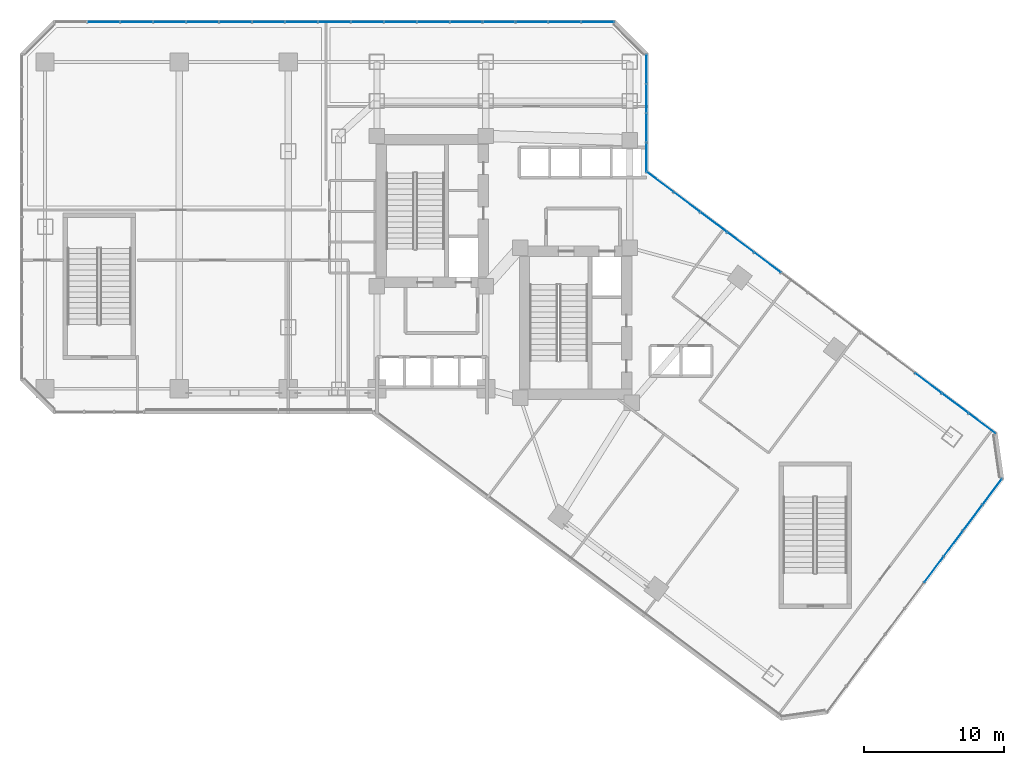
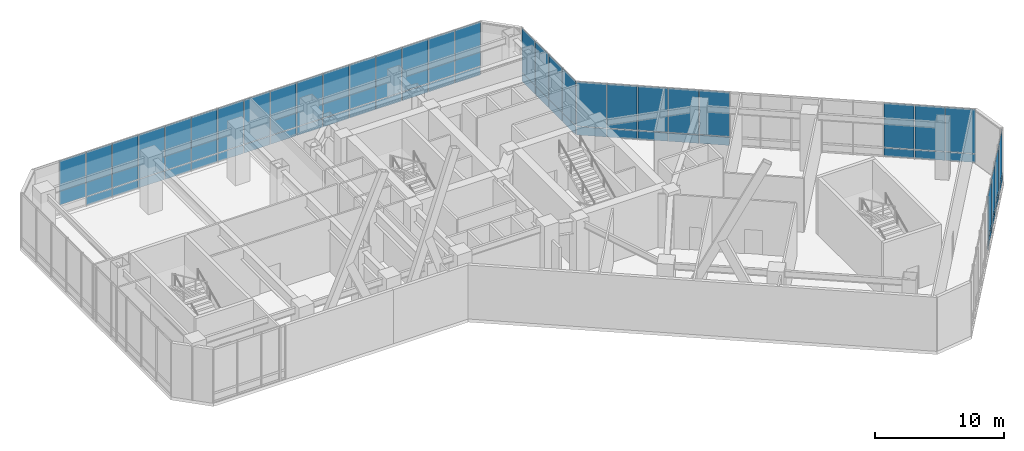
# One storey, part 25 of 35: 63 plates, 4 elements without a shape of their own.
"""IFC4 building model written with IfcOpenShell, lengths in metres."""

from ifc_helpers import new_model, si_unit, direction, frame, origin, origin_2d, place, context, subcontext, project, spatial, rectangle, extrude, material, layer, layer_set, type_object, element, aggregate, save


model = new_model("IFC4")

# Units and contexts
model_context = context("Model", 3, precision=1e-05, world=origin(), true_north=direction((0.0, 1.0)))
body_context = subcontext(model_context, "Body", "Model", "MODEL_VIEW")
ifc_project = project(units=[si_unit("LENGTHUNIT", "METRE"), si_unit("AREAUNIT", "SQUARE_METRE"), si_unit("VOLUMEUNIT", "CUBIC_METRE"), si_unit("PLANEANGLEUNIT", "RADIAN"), si_unit("MASSUNIT", "GRAM", prefix="KILO")], contexts=[model_context])

# Site, building, storey
site_placement = place(None, origin())
site = spatial("IfcSite", under=ifc_project, at=site_placement, CompositionType="ELEMENT")
building_placement = place(site_placement, origin())
building = spatial("IfcBuilding", under=site, at=building_placement, Name="Hatsunagi Terrace Concourse", CompositionType="ELEMENT")
storey_placement = place(building_placement, frame((0.0, 0.0, 5.39990234375)))
storey = spatial("IfcBuildingStorey", under=building, at=storey_placement, Name="L02", CompositionType="ELEMENT", Elevation=5.39990234375)

# Curtain wall, plates
ifc_material_1 = material(Name="Anodised Aluminium Alloy 6063-T5", Category="aluminium")
ifc_layer_1 = layer(ifc_material_1, 0.199951171875)
ifc_layer_set_1 = layer_set([ifc_layer_1], Name="PodiumStorefront_CW01")
curtain_wall_type = type_object("IfcCurtainWallType", Name="PodiumStorefront_CW01", PredefinedType="NOTDEFINED", material=ifc_layer_set_1)
curtain_wall_1_placement = place(storey_placement, origin())
curtain_wall_1 = element("IfcCurtainWall", 1, at=curtain_wall_1_placement, inside=storey, type_object=curtain_wall_type, Name="Unitised Curtain Wall CW-01 CW-L02-01", PredefinedType="NOTDEFINED")
ifc_material_2 = material(Name="Warm Terracotta Ceramic Spandrel Panel", Category="masonry")
ifc_layer_2 = layer(ifc_material_2, 0.031982421875)
ifc_layer_set_2 = layer_set([ifc_layer_2], Name="CurtainWallSpandrelPanel_32")
plate_type_1 = type_object("IfcPlateType", Name="CurtainWallSpandrelPanel_32", PredefinedType="SHEET", material=ifc_layer_set_2)
plate_1_placement = place(storey_placement, frame((45.820068359375, 40.010009765625, 0.030029296875), z_axis=(0.0, 0.0, 1.0), x_axis=(0.800007305671, -0.599990258982, 0.0)))
plate_1 = element("IfcPlate", 2, at=plate_1_placement, type_object=plate_type_1, Name="Terracotta Spandrel Panel SPN-01", PredefinedType="SHEET", context=body_context, shape_type="SweptSolid", body=[
    extrude(rectangle(XDim=2.345947265625, YDim=0.031982421875, at=origin_2d()), origin(), (0.0, 0.0, 1.0), 0.7900390625),
])
plate_2_placement = place(storey_placement, frame((47.740966796875, 38.569091796875, 0.030029296875), z_axis=(0.0, 0.0, 1.0), x_axis=(0.800007305671, -0.599990258982, 0.0)))
plate_2 = element("IfcPlate", 3, at=plate_2_placement, type_object=plate_type_1, Name="Terracotta Spandrel Panel SPN-01", PredefinedType="SHEET", context=body_context, shape_type="SweptSolid", body=[
    extrude(rectangle(XDim=2.345947265625, YDim=0.031982421875, at=origin_2d()), origin(), (0.0, 0.0, 1.0), 0.7900390625),
])
plate_3_placement = place(storey_placement, frame((49.662109375, 37.12890625, 0.030029296875), z_axis=(0.0, 0.0, 1.0), x_axis=(0.800007305671, -0.599990258982, 0.0)))
plate_3 = element("IfcPlate", 4, at=plate_3_placement, type_object=plate_type_1, Name="Terracotta Spandrel Panel SPN-01", PredefinedType="SHEET", context=body_context, shape_type="SweptSolid", body=[
    extrude(rectangle(XDim=2.345947265625, YDim=0.031982421875, at=origin_2d()), origin(), (0.0, 0.0, 1.0), 0.7900390625),
])
plate_4_placement = place(storey_placement, frame((51.5830078125, 35.68798828125, 0.030029296875), z_axis=(0.0, 0.0, 1.0), x_axis=(0.800007305671, -0.599990258982, 0.0)))
plate_4 = element("IfcPlate", 5, at=plate_4_placement, type_object=plate_type_1, Name="Terracotta Spandrel Panel SPN-01", PredefinedType="SHEET", context=body_context, shape_type="SweptSolid", body=[
    extrude(rectangle(XDim=2.345947265625, YDim=0.031982421875, at=origin_2d()), origin(), (0.0, 0.0, 1.0), 0.7900390625),
])
plate_5_placement = place(storey_placement, frame((53.5029296875, 34.248046875, 0.030029296875), z_axis=(0.0, 0.0, 1.0), x_axis=(0.800007305671, -0.599990258982, 0.0)))
plate_5 = element("IfcPlate", 6, at=plate_5_placement, type_object=plate_type_1, Name="Terracotta Spandrel Panel SPN-01", PredefinedType="SHEET", context=body_context, shape_type="SweptSolid", body=[
    extrude(rectangle(XDim=2.345947265625, YDim=0.031982421875, at=origin_2d()), origin(), (0.0, 0.0, 1.0), 0.7900390625),
])
plate_6_placement = place(storey_placement, frame((65.028076171875, 25.60400390625, 0.030029296875), z_axis=(0.0, 0.0, 1.0), x_axis=(0.800007305671, -0.599990258982, 0.0)))
plate_6 = element("IfcPlate", 7, at=plate_6_placement, type_object=plate_type_1, Name="Terracotta Spandrel Panel SPN-01", PredefinedType="SHEET", context=body_context, shape_type="SweptSolid", body=[
    extrude(rectangle(XDim=2.345947265625, YDim=0.031982421875, at=origin_2d()), origin(), (0.0, 0.0, 1.0), 0.7900390625),
])
plate_7_placement = place(storey_placement, frame((66.948974609375, 24.1640625, 0.030029296875), z_axis=(0.0, 0.0, 1.0), x_axis=(0.800007305671, -0.599990258982, 0.0)))
plate_7 = element("IfcPlate", 8, at=plate_7_placement, type_object=plate_type_1, Name="Terracotta Spandrel Panel SPN-01", PredefinedType="SHEET", context=body_context, shape_type="SweptSolid", body=[
    extrude(rectangle(XDim=2.345947265625, YDim=0.031982421875, at=origin_2d()), origin(), (0.0, 0.0, 1.0), 0.7900390625),
])
plate_8_placement = place(storey_placement, frame((68.8701171875, 22.722900390625, 0.030029296875), z_axis=(0.0, 0.0, 1.0), x_axis=(0.800007305671, -0.599990258982, 0.0)))
plate_8 = element("IfcPlate", 9, at=plate_8_placement, type_object=plate_type_1, Name="Terracotta Spandrel Panel SPN-01", PredefinedType="SHEET", context=body_context, shape_type="SweptSolid", body=[
    extrude(rectangle(XDim=2.345947265625, YDim=0.031982421875, at=origin_2d()), origin(), (0.0, 0.0, 1.0), 0.7900390625),
])

curtain_wall_2_placement = place(storey_placement, origin())
curtain_wall_2 = element("IfcCurtainWall", 10, at=curtain_wall_2_placement, inside=storey, type_object=curtain_wall_type, Name="Unitised Curtain Wall CW-01 CW-L02-03", PredefinedType="NOTDEFINED")
plate_9_placement = place(storey_placement, frame((69.596923828125, 17.830078125, 0.030029296875), z_axis=(0.0, 0.0, 1.0), x_axis=(-0.599969314634, -0.800023013105, 0.0)))
plate_9 = element("IfcPlate", 11, at=plate_9_placement, type_object=plate_type_1, Name="Terracotta Spandrel Panel SPN-01", PredefinedType="SHEET", context=body_context, shape_type="SweptSolid", body=[
    extrude(rectangle(XDim=2.264892578125, YDim=0.031982421875, at=origin_2d()), origin(), (0.0, 0.0, 1.0), 0.7900390625),
])
plate_10_placement = place(storey_placement, frame((68.205078125, 15.972900390625, 0.030029296875), z_axis=(0.0, 0.0, 1.0), x_axis=(-0.599969314634, -0.800023013105, 0.0)))
plate_10 = element("IfcPlate", 12, at=plate_10_placement, type_object=plate_type_1, Name="Terracotta Spandrel Panel SPN-01", PredefinedType="SHEET", context=body_context, shape_type="SweptSolid", body=[
    extrude(rectangle(XDim=2.264892578125, YDim=0.031982421875, at=origin_2d()), origin(), (0.0, 0.0, 1.0), 0.7900390625),
])
plate_11_placement = place(storey_placement, frame((66.81201171875, 14.116943359375, 0.030029296875), z_axis=(0.0, 0.0, 1.0), x_axis=(-0.599969314634, -0.800023013105, 0.0)))
plate_11 = element("IfcPlate", 13, at=plate_11_placement, type_object=plate_type_1, Name="Terracotta Spandrel Panel SPN-01", PredefinedType="SHEET", context=body_context, shape_type="SweptSolid", body=[
    extrude(rectangle(XDim=2.264892578125, YDim=0.031982421875, at=origin_2d()), origin(), (0.0, 0.0, 1.0), 0.7900390625),
])
plate_12_placement = place(storey_placement, frame((65.419921875, 12.260009765625, 0.030029296875), z_axis=(0.0, 0.0, 1.0), x_axis=(-0.599969314634, -0.800023013105, 0.0)))
plate_12 = element("IfcPlate", 14, at=plate_12_placement, type_object=plate_type_1, Name="Terracotta Spandrel Panel SPN-01", PredefinedType="SHEET", context=body_context, shape_type="SweptSolid", body=[
    extrude(rectangle(XDim=2.264892578125, YDim=0.031982421875, at=origin_2d()), origin(), (0.0, 0.0, 1.0), 0.7900390625),
])

curtain_wall_3_placement = place(storey_placement, origin())
curtain_wall_3 = element("IfcCurtainWall", 15, at=curtain_wall_3_placement, inside=storey, type_object=curtain_wall_type, Name="Unitised Curtain Wall CW-01 CW-L02-12", PredefinedType="NOTDEFINED")
plate_13_placement = place(storey_placement, frame((8.35302734375, 51.4599609375, 0.030029296875), z_axis=(0.0, 0.0, 1.0), x_axis=(1.0, 0.0, 0.0)))
plate_13 = element("IfcPlate", 16, at=plate_13_placement, type_object=plate_type_1, Name="Terracotta Spandrel Panel SPN-01", PredefinedType="SHEET", context=body_context, shape_type="SweptSolid", body=[
    extrude(rectangle(XDim=2.302978515625, YDim=0.031982421875, at=origin_2d()), origin(), (0.0, 0.0, 1.0), 0.7900390625),
])
plate_14_placement = place(storey_placement, frame((10.7109375, 51.4599609375, 0.030029296875), z_axis=(0.0, 0.0, 1.0), x_axis=(1.0, 0.0, 0.0)))
plate_14 = element("IfcPlate", 17, at=plate_14_placement, type_object=plate_type_1, Name="Terracotta Spandrel Panel SPN-01", PredefinedType="SHEET", context=body_context, shape_type="SweptSolid", body=[
    extrude(rectangle(XDim=2.302978515625, YDim=0.031982421875, at=origin_2d()), origin(), (0.0, 0.0, 1.0), 0.7900390625),
])
plate_15_placement = place(storey_placement, frame((13.068115234375, 51.4599609375, 0.030029296875), z_axis=(0.0, 0.0, 1.0), x_axis=(1.0, 0.0, 0.0)))
plate_15 = element("IfcPlate", 18, at=plate_15_placement, type_object=plate_type_1, Name="Terracotta Spandrel Panel SPN-01", PredefinedType="SHEET", context=body_context, shape_type="SweptSolid", body=[
    extrude(rectangle(XDim=2.302978515625, YDim=0.031982421875, at=origin_2d()), origin(), (0.0, 0.0, 1.0), 0.7900390625),
])
plate_16_placement = place(storey_placement, frame((15.426025390625, 51.4599609375, 0.030029296875), z_axis=(0.0, 0.0, 1.0), x_axis=(1.0, 0.0, 0.0)))
plate_16 = element("IfcPlate", 19, at=plate_16_placement, type_object=plate_type_1, Name="Terracotta Spandrel Panel SPN-01", PredefinedType="SHEET", context=body_context, shape_type="SweptSolid", body=[
    extrude(rectangle(XDim=2.302978515625, YDim=0.031982421875, at=origin_2d()), origin(), (0.0, 0.0, 1.0), 0.7900390625),
])
plate_17_placement = place(storey_placement, frame((17.783935546875, 51.4599609375, 0.030029296875), z_axis=(0.0, 0.0, 1.0), x_axis=(1.0, 0.0, 0.0)))
plate_17 = element("IfcPlate", 20, at=plate_17_placement, type_object=plate_type_1, Name="Terracotta Spandrel Panel SPN-01", PredefinedType="SHEET", context=body_context, shape_type="SweptSolid", body=[
    extrude(rectangle(XDim=2.302978515625, YDim=0.031982421875, at=origin_2d()), origin(), (0.0, 0.0, 1.0), 0.7900390625),
])
plate_18_placement = place(storey_placement, frame((20.14208984375, 51.4599609375, 0.030029296875), z_axis=(0.0, 0.0, 1.0), x_axis=(1.0, 0.0, 0.0)))
plate_18 = element("IfcPlate", 21, at=plate_18_placement, type_object=plate_type_1, Name="Terracotta Spandrel Panel SPN-01", PredefinedType="SHEET", context=body_context, shape_type="SweptSolid", body=[
    extrude(rectangle(XDim=2.302978515625, YDim=0.031982421875, at=origin_2d()), origin(), (0.0, 0.0, 1.0), 0.7900390625),
])
plate_19_placement = place(storey_placement, frame((22.5, 51.4599609375, 0.030029296875), z_axis=(0.0, 0.0, 1.0), x_axis=(1.0, 0.0, 0.0)))
plate_19 = element("IfcPlate", 22, at=plate_19_placement, type_object=plate_type_1, Name="Terracotta Spandrel Panel SPN-01", PredefinedType="SHEET", context=body_context, shape_type="SweptSolid", body=[
    extrude(rectangle(XDim=2.302978515625, YDim=0.031982421875, at=origin_2d()), origin(), (0.0, 0.0, 1.0), 0.7900390625),
])
plate_20_placement = place(storey_placement, frame((24.85791015625, 51.4599609375, 0.030029296875), z_axis=(0.0, 0.0, 1.0), x_axis=(1.0, 0.0, 0.0)))
plate_20 = element("IfcPlate", 23, at=plate_20_placement, type_object=plate_type_1, Name="Terracotta Spandrel Panel SPN-01", PredefinedType="SHEET", context=body_context, shape_type="SweptSolid", body=[
    extrude(rectangle(XDim=2.302978515625, YDim=0.031982421875, at=origin_2d()), origin(), (0.0, 0.0, 1.0), 0.7900390625),
])
plate_21_placement = place(storey_placement, frame((27.216064453125, 51.4599609375, 0.030029296875), z_axis=(0.0, 0.0, 1.0), x_axis=(1.0, 0.0, 0.0)))
plate_21 = element("IfcPlate", 24, at=plate_21_placement, type_object=plate_type_1, Name="Terracotta Spandrel Panel SPN-01", PredefinedType="SHEET", context=body_context, shape_type="SweptSolid", body=[
    extrude(rectangle(XDim=2.302978515625, YDim=0.031982421875, at=origin_2d()), origin(), (0.0, 0.0, 1.0), 0.7900390625),
])
plate_22_placement = place(storey_placement, frame((29.573974609375, 51.4599609375, 0.030029296875), z_axis=(0.0, 0.0, 1.0), x_axis=(1.0, 0.0, 0.0)))
plate_22 = element("IfcPlate", 25, at=plate_22_placement, type_object=plate_type_1, Name="Terracotta Spandrel Panel SPN-01", PredefinedType="SHEET", context=body_context, shape_type="SweptSolid", body=[
    extrude(rectangle(XDim=2.302978515625, YDim=0.031982421875, at=origin_2d()), origin(), (0.0, 0.0, 1.0), 0.7900390625),
])
plate_23_placement = place(storey_placement, frame((31.931884765625, 51.4599609375, 0.030029296875), z_axis=(0.0, 0.0, 1.0), x_axis=(1.0, 0.0, 0.0)))
plate_23 = element("IfcPlate", 26, at=plate_23_placement, type_object=plate_type_1, Name="Terracotta Spandrel Panel SPN-01", PredefinedType="SHEET", context=body_context, shape_type="SweptSolid", body=[
    extrude(rectangle(XDim=2.302978515625, YDim=0.031982421875, at=origin_2d()), origin(), (0.0, 0.0, 1.0), 0.7900390625),
])
plate_24_placement = place(storey_placement, frame((34.2890625, 51.4599609375, 0.030029296875), z_axis=(0.0, 0.0, 1.0), x_axis=(1.0, 0.0, 0.0)))
plate_24 = element("IfcPlate", 27, at=plate_24_placement, type_object=plate_type_1, Name="Terracotta Spandrel Panel SPN-01", PredefinedType="SHEET", context=body_context, shape_type="SweptSolid", body=[
    extrude(rectangle(XDim=2.302978515625, YDim=0.031982421875, at=origin_2d()), origin(), (0.0, 0.0, 1.0), 0.7900390625),
])
plate_25_placement = place(storey_placement, frame((36.64697265625, 51.4599609375, 0.030029296875), z_axis=(0.0, 0.0, 1.0), x_axis=(1.0, 0.0, 0.0)))
plate_25 = element("IfcPlate", 28, at=plate_25_placement, type_object=plate_type_1, Name="Terracotta Spandrel Panel SPN-01", PredefinedType="SHEET", context=body_context, shape_type="SweptSolid", body=[
    extrude(rectangle(XDim=2.302978515625, YDim=0.031982421875, at=origin_2d()), origin(), (0.0, 0.0, 1.0), 0.7900390625),
])
plate_26_placement = place(storey_placement, frame((39.0048828125, 51.4599609375, 0.030029296875), z_axis=(0.0, 0.0, 1.0), x_axis=(1.0, 0.0, 0.0)))
plate_26 = element("IfcPlate", 29, at=plate_26_placement, type_object=plate_type_1, Name="Terracotta Spandrel Panel SPN-01", PredefinedType="SHEET", context=body_context, shape_type="SweptSolid", body=[
    extrude(rectangle(XDim=2.302978515625, YDim=0.031982421875, at=origin_2d()), origin(), (0.0, 0.0, 1.0), 0.7900390625),
])
plate_27_placement = place(storey_placement, frame((41.363037109375, 51.4599609375, 0.030029296875), z_axis=(0.0, 0.0, 1.0), x_axis=(1.0, 0.0, 0.0)))
plate_27 = element("IfcPlate", 30, at=plate_27_placement, type_object=plate_type_1, Name="Terracotta Spandrel Panel SPN-01", PredefinedType="SHEET", context=body_context, shape_type="SweptSolid", body=[
    extrude(rectangle(XDim=2.302978515625, YDim=0.031982421875, at=origin_2d()), origin(), (0.0, 0.0, 1.0), 0.7900390625),
])

curtain_wall_4_placement = place(storey_placement, origin())
curtain_wall_4 = element("IfcCurtainWall", 31, at=curtain_wall_4_placement, inside=storey, type_object=curtain_wall_type, Name="Unitised Curtain Wall CW-01 CW-L02-14", PredefinedType="NOTDEFINED")
plate_28_placement = place(storey_placement, frame((44.860107421875, 48.091064453125, 0.030029296875), z_axis=(0.0, 0.0, 1.0), x_axis=(0.0, -1.0, 0.0)))
plate_28 = element("IfcPlate", 32, at=plate_28_placement, type_object=plate_type_1, Name="Terracotta Spandrel Panel SPN-01", PredefinedType="SHEET", context=body_context, shape_type="SweptSolid", body=[
    extrude(rectangle(XDim=2.048095703125, YDim=0.031982421875, at=origin_2d()), origin(), (0.0, 0.0, 1.0), 0.7900390625),
])
plate_29_placement = place(storey_placement, frame((44.860107421875, 45.987060546875, 0.030029296875), z_axis=(0.0, 0.0, 1.0), x_axis=(0.0, -1.0, 0.0)))
plate_29 = element("IfcPlate", 33, at=plate_29_placement, type_object=plate_type_1, Name="Terracotta Spandrel Panel SPN-01", PredefinedType="SHEET", context=body_context, shape_type="SweptSolid", body=[
    extrude(rectangle(XDim=2.048095703125, YDim=0.031982421875, at=origin_2d()), origin(), (0.0, 0.0, 1.0), 0.7900390625),
])
plate_30_placement = place(storey_placement, frame((44.860107421875, 43.885009765625, 0.030029296875), z_axis=(0.0, 0.0, 1.0), x_axis=(0.0, -1.0, 0.0)))
plate_30 = element("IfcPlate", 34, at=plate_30_placement, type_object=plate_type_1, Name="Terracotta Spandrel Panel SPN-01", PredefinedType="SHEET", context=body_context, shape_type="SweptSolid", body=[
    extrude(rectangle(XDim=2.048095703125, YDim=0.031982421875, at=origin_2d()), origin(), (0.0, 0.0, 1.0), 0.7900390625),
])
plate_31_placement = place(storey_placement, frame((44.860107421875, 41.781005859375, 0.030029296875), z_axis=(0.0, 0.0, 1.0), x_axis=(0.0, -1.0, 0.0)))
plate_31 = element("IfcPlate", 35, at=plate_31_placement, type_object=plate_type_1, Name="Terracotta Spandrel Panel SPN-01", PredefinedType="SHEET", context=body_context, shape_type="SweptSolid", body=[
    extrude(rectangle(XDim=2.048095703125, YDim=0.031982421875, at=origin_2d()), origin(), (0.0, 0.0, 1.0), 0.7900390625),
])

# Plate
ifc_material_3 = material(Name="Low-E Double Insulating Glass 28mm", Category="glass")
ifc_layer_3 = layer(ifc_material_3, 0.028076171875)
ifc_layer_set_3 = layer_set([ifc_layer_3], Name="CurtainWallVisionGlass_28")
plate_type_2 = type_object("IfcPlateType", Name="CurtainWallVisionGlass_28", PredefinedType="CURTAIN_PANEL", material=ifc_layer_set_3)
plate_32_placement = place(storey_placement, frame((45.820068359375, 40.010009765625, 0.880126953125), z_axis=(0.0, 0.0, 1.0), x_axis=(0.800007305671, -0.599990258982, 0.0)))
plate_32 = element("IfcPlate", 36, at=plate_32_placement, type_object=plate_type_2, Name="Low-E Vision Glass Panel GLZ-01", PredefinedType="CURTAIN_PANEL", context=body_context, shape_type="SweptSolid", body=[
    extrude(rectangle(XDim=2.345947265625, YDim=0.028076171875, at=origin_2d()), origin(), (0.0, 0.0, 1.0), 4.18994140625),
])

plate_33_placement = place(storey_placement, frame((47.740966796875, 38.569091796875, 0.880126953125), z_axis=(0.0, 0.0, 1.0), x_axis=(0.800007305671, -0.599990258982, 0.0)))
plate_33 = element("IfcPlate", 37, at=plate_33_placement, type_object=plate_type_2, Name="Low-E Vision Glass Panel GLZ-01", PredefinedType="CURTAIN_PANEL", context=body_context, shape_type="SweptSolid", body=[
    extrude(rectangle(XDim=2.345947265625, YDim=0.028076171875, at=origin_2d()), origin(), (0.0, 0.0, 1.0), 4.18994140625),
])

plate_34_placement = place(storey_placement, frame((49.662109375, 37.12890625, 0.880126953125), z_axis=(0.0, 0.0, 1.0), x_axis=(0.800007305671, -0.599990258982, 0.0)))
plate_34 = element("IfcPlate", 38, at=plate_34_placement, type_object=plate_type_2, Name="Low-E Vision Glass Panel GLZ-01", PredefinedType="CURTAIN_PANEL", context=body_context, shape_type="SweptSolid", body=[
    extrude(rectangle(XDim=2.345947265625, YDim=0.028076171875, at=origin_2d()), origin(), (0.0, 0.0, 1.0), 4.18994140625),
])

plate_35_placement = place(storey_placement, frame((51.5830078125, 35.68798828125, 0.880126953125), z_axis=(0.0, 0.0, 1.0), x_axis=(0.800007305671, -0.599990258982, 0.0)))
plate_35 = element("IfcPlate", 39, at=plate_35_placement, type_object=plate_type_2, Name="Low-E Vision Glass Panel GLZ-01", PredefinedType="CURTAIN_PANEL", context=body_context, shape_type="SweptSolid", body=[
    extrude(rectangle(XDim=2.345947265625, YDim=0.028076171875, at=origin_2d()), origin(), (0.0, 0.0, 1.0), 4.18994140625),
])

plate_36_placement = place(storey_placement, frame((53.5029296875, 34.248046875, 0.880126953125), z_axis=(0.0, 0.0, 1.0), x_axis=(0.800007305671, -0.599990258982, 0.0)))
plate_36 = element("IfcPlate", 40, at=plate_36_placement, type_object=plate_type_2, Name="Low-E Vision Glass Panel GLZ-01", PredefinedType="CURTAIN_PANEL", context=body_context, shape_type="SweptSolid", body=[
    extrude(rectangle(XDim=2.345947265625, YDim=0.028076171875, at=origin_2d()), origin(), (0.0, 0.0, 1.0), 4.18994140625),
])

plate_37_placement = place(storey_placement, frame((65.028076171875, 25.60400390625, 0.880126953125), z_axis=(0.0, 0.0, 1.0), x_axis=(0.800007305671, -0.599990258982, 0.0)))
plate_37 = element("IfcPlate", 41, at=plate_37_placement, type_object=plate_type_2, Name="Low-E Vision Glass Panel GLZ-01", PredefinedType="CURTAIN_PANEL", context=body_context, shape_type="SweptSolid", body=[
    extrude(rectangle(XDim=2.345947265625, YDim=0.028076171875, at=origin_2d()), origin(), (0.0, 0.0, 1.0), 4.18994140625),
])

plate_38_placement = place(storey_placement, frame((66.948974609375, 24.1640625, 0.880126953125), z_axis=(0.0, 0.0, 1.0), x_axis=(0.800007305671, -0.599990258982, 0.0)))
plate_38 = element("IfcPlate", 42, at=plate_38_placement, type_object=plate_type_2, Name="Low-E Vision Glass Panel GLZ-01", PredefinedType="CURTAIN_PANEL", context=body_context, shape_type="SweptSolid", body=[
    extrude(rectangle(XDim=2.345947265625, YDim=0.028076171875, at=origin_2d()), origin(), (0.0, 0.0, 1.0), 4.18994140625),
])

plate_39_placement = place(storey_placement, frame((68.8701171875, 22.722900390625, 0.880126953125), z_axis=(0.0, 0.0, 1.0), x_axis=(0.800007305671, -0.599990258982, 0.0)))
plate_39 = element("IfcPlate", 43, at=plate_39_placement, type_object=plate_type_2, Name="Low-E Vision Glass Panel GLZ-01", PredefinedType="CURTAIN_PANEL", context=body_context, shape_type="SweptSolid", body=[
    extrude(rectangle(XDim=2.345947265625, YDim=0.028076171875, at=origin_2d()), origin(), (0.0, 0.0, 1.0), 4.18994140625),
])

aggregate(curtain_wall_1, [plate_1, plate_32, plate_2, plate_33, plate_3, plate_34, plate_4, plate_35, plate_5, plate_36, plate_6, plate_37, plate_7, plate_38, plate_8, plate_39])

plate_40_placement = place(storey_placement, frame((69.596923828125, 17.830078125, 0.880126953125), z_axis=(0.0, 0.0, 1.0), x_axis=(-0.599969314634, -0.800023013105, 0.0)))
plate_40 = element("IfcPlate", 44, at=plate_40_placement, type_object=plate_type_2, Name="Low-E Vision Glass Panel GLZ-01", PredefinedType="CURTAIN_PANEL", context=body_context, shape_type="SweptSolid", body=[
    extrude(rectangle(XDim=2.264892578125, YDim=0.028076171875, at=origin_2d()), origin(), (0.0, 0.0, 1.0), 4.18994140625),
])

plate_41_placement = place(storey_placement, frame((68.205078125, 15.972900390625, 0.880126953125), z_axis=(0.0, 0.0, 1.0), x_axis=(-0.599969314634, -0.800023013105, 0.0)))
plate_41 = element("IfcPlate", 45, at=plate_41_placement, type_object=plate_type_2, Name="Low-E Vision Glass Panel GLZ-01", PredefinedType="CURTAIN_PANEL", context=body_context, shape_type="SweptSolid", body=[
    extrude(rectangle(XDim=2.264892578125, YDim=0.028076171875, at=origin_2d()), origin(), (0.0, 0.0, 1.0), 4.18994140625),
])

plate_42_placement = place(storey_placement, frame((66.81201171875, 14.116943359375, 0.880126953125), z_axis=(0.0, 0.0, 1.0), x_axis=(-0.599969314634, -0.800023013105, 0.0)))
plate_42 = element("IfcPlate", 46, at=plate_42_placement, type_object=plate_type_2, Name="Low-E Vision Glass Panel GLZ-01", PredefinedType="CURTAIN_PANEL", context=body_context, shape_type="SweptSolid", body=[
    extrude(rectangle(XDim=2.264892578125, YDim=0.028076171875, at=origin_2d()), origin(), (0.0, 0.0, 1.0), 4.18994140625),
])

plate_43_placement = place(storey_placement, frame((65.419921875, 12.260009765625, 0.880126953125), z_axis=(0.0, 0.0, 1.0), x_axis=(-0.599969314634, -0.800023013105, 0.0)))
plate_43 = element("IfcPlate", 47, at=plate_43_placement, type_object=plate_type_2, Name="Low-E Vision Glass Panel GLZ-01", PredefinedType="CURTAIN_PANEL", context=body_context, shape_type="SweptSolid", body=[
    extrude(rectangle(XDim=2.264892578125, YDim=0.028076171875, at=origin_2d()), origin(), (0.0, 0.0, 1.0), 4.18994140625),
])

aggregate(curtain_wall_2, [plate_9, plate_40, plate_10, plate_41, plate_11, plate_42, plate_12, plate_43])

plate_44_placement = place(storey_placement, frame((5.9951171875, 51.4599609375, 0.880126953125), z_axis=(0.0, 0.0, 1.0), x_axis=(1.0, 0.0, 0.0)))
plate_44 = element("IfcPlate", 48, at=plate_44_placement, type_object=plate_type_2, Name="Low-E Vision Glass Panel GLZ-01", PredefinedType="CURTAIN_PANEL", context=body_context, shape_type="SweptSolid", body=[
    extrude(rectangle(XDim=2.302978515625, YDim=0.028076171875, at=origin_2d()), origin(), (0.0, 0.0, 1.0), 4.18994140625),
])

plate_45_placement = place(storey_placement, frame((8.35302734375, 51.4599609375, 0.880126953125), z_axis=(0.0, 0.0, 1.0), x_axis=(1.0, 0.0, 0.0)))
plate_45 = element("IfcPlate", 49, at=plate_45_placement, type_object=plate_type_2, Name="Low-E Vision Glass Panel GLZ-01", PredefinedType="CURTAIN_PANEL", context=body_context, shape_type="SweptSolid", body=[
    extrude(rectangle(XDim=2.302978515625, YDim=0.028076171875, at=origin_2d()), origin(), (0.0, 0.0, 1.0), 4.18994140625),
])

plate_46_placement = place(storey_placement, frame((10.7109375, 51.4599609375, 0.880126953125), z_axis=(0.0, 0.0, 1.0), x_axis=(1.0, 0.0, 0.0)))
plate_46 = element("IfcPlate", 50, at=plate_46_placement, type_object=plate_type_2, Name="Low-E Vision Glass Panel GLZ-01", PredefinedType="CURTAIN_PANEL", context=body_context, shape_type="SweptSolid", body=[
    extrude(rectangle(XDim=2.302978515625, YDim=0.028076171875, at=origin_2d()), origin(), (0.0, 0.0, 1.0), 4.18994140625),
])

plate_47_placement = place(storey_placement, frame((13.068115234375, 51.4599609375, 0.880126953125), z_axis=(0.0, 0.0, 1.0), x_axis=(1.0, 0.0, 0.0)))
plate_47 = element("IfcPlate", 51, at=plate_47_placement, type_object=plate_type_2, Name="Low-E Vision Glass Panel GLZ-01", PredefinedType="CURTAIN_PANEL", context=body_context, shape_type="SweptSolid", body=[
    extrude(rectangle(XDim=2.302978515625, YDim=0.028076171875, at=origin_2d()), origin(), (0.0, 0.0, 1.0), 4.18994140625),
])

plate_48_placement = place(storey_placement, frame((15.426025390625, 51.4599609375, 0.880126953125), z_axis=(0.0, 0.0, 1.0), x_axis=(1.0, 0.0, 0.0)))
plate_48 = element("IfcPlate", 52, at=plate_48_placement, type_object=plate_type_2, Name="Low-E Vision Glass Panel GLZ-01", PredefinedType="CURTAIN_PANEL", context=body_context, shape_type="SweptSolid", body=[
    extrude(rectangle(XDim=2.302978515625, YDim=0.028076171875, at=origin_2d()), origin(), (0.0, 0.0, 1.0), 4.18994140625),
])

plate_49_placement = place(storey_placement, frame((17.783935546875, 51.4599609375, 0.880126953125), z_axis=(0.0, 0.0, 1.0), x_axis=(1.0, 0.0, 0.0)))
plate_49 = element("IfcPlate", 53, at=plate_49_placement, type_object=plate_type_2, Name="Low-E Vision Glass Panel GLZ-01", PredefinedType="CURTAIN_PANEL", context=body_context, shape_type="SweptSolid", body=[
    extrude(rectangle(XDim=2.302978515625, YDim=0.028076171875, at=origin_2d()), origin(), (0.0, 0.0, 1.0), 4.18994140625),
])

plate_50_placement = place(storey_placement, frame((20.14208984375, 51.4599609375, 0.880126953125), z_axis=(0.0, 0.0, 1.0), x_axis=(1.0, 0.0, 0.0)))
plate_50 = element("IfcPlate", 54, at=plate_50_placement, type_object=plate_type_2, Name="Low-E Vision Glass Panel GLZ-01", PredefinedType="CURTAIN_PANEL", context=body_context, shape_type="SweptSolid", body=[
    extrude(rectangle(XDim=2.302978515625, YDim=0.028076171875, at=origin_2d()), origin(), (0.0, 0.0, 1.0), 4.18994140625),
])

plate_51_placement = place(storey_placement, frame((22.5, 51.4599609375, 0.880126953125), z_axis=(0.0, 0.0, 1.0), x_axis=(1.0, 0.0, 0.0)))
plate_51 = element("IfcPlate", 55, at=plate_51_placement, type_object=plate_type_2, Name="Low-E Vision Glass Panel GLZ-01", PredefinedType="CURTAIN_PANEL", context=body_context, shape_type="SweptSolid", body=[
    extrude(rectangle(XDim=2.302978515625, YDim=0.028076171875, at=origin_2d()), origin(), (0.0, 0.0, 1.0), 4.18994140625),
])

plate_52_placement = place(storey_placement, frame((24.85791015625, 51.4599609375, 0.880126953125), z_axis=(0.0, 0.0, 1.0), x_axis=(1.0, 0.0, 0.0)))
plate_52 = element("IfcPlate", 56, at=plate_52_placement, type_object=plate_type_2, Name="Low-E Vision Glass Panel GLZ-01", PredefinedType="CURTAIN_PANEL", context=body_context, shape_type="SweptSolid", body=[
    extrude(rectangle(XDim=2.302978515625, YDim=0.028076171875, at=origin_2d()), origin(), (0.0, 0.0, 1.0), 4.18994140625),
])

plate_53_placement = place(storey_placement, frame((27.216064453125, 51.4599609375, 0.880126953125), z_axis=(0.0, 0.0, 1.0), x_axis=(1.0, 0.0, 0.0)))
plate_53 = element("IfcPlate", 57, at=plate_53_placement, type_object=plate_type_2, Name="Low-E Vision Glass Panel GLZ-01", PredefinedType="CURTAIN_PANEL", context=body_context, shape_type="SweptSolid", body=[
    extrude(rectangle(XDim=2.302978515625, YDim=0.028076171875, at=origin_2d()), origin(), (0.0, 0.0, 1.0), 4.18994140625),
])

plate_54_placement = place(storey_placement, frame((29.573974609375, 51.4599609375, 0.880126953125), z_axis=(0.0, 0.0, 1.0), x_axis=(1.0, 0.0, 0.0)))
plate_54 = element("IfcPlate", 58, at=plate_54_placement, type_object=plate_type_2, Name="Low-E Vision Glass Panel GLZ-01", PredefinedType="CURTAIN_PANEL", context=body_context, shape_type="SweptSolid", body=[
    extrude(rectangle(XDim=2.302978515625, YDim=0.028076171875, at=origin_2d()), origin(), (0.0, 0.0, 1.0), 4.18994140625),
])

plate_55_placement = place(storey_placement, frame((31.931884765625, 51.4599609375, 0.880126953125), z_axis=(0.0, 0.0, 1.0), x_axis=(1.0, 0.0, 0.0)))
plate_55 = element("IfcPlate", 59, at=plate_55_placement, type_object=plate_type_2, Name="Low-E Vision Glass Panel GLZ-01", PredefinedType="CURTAIN_PANEL", context=body_context, shape_type="SweptSolid", body=[
    extrude(rectangle(XDim=2.302978515625, YDim=0.028076171875, at=origin_2d()), origin(), (0.0, 0.0, 1.0), 4.18994140625),
])

plate_56_placement = place(storey_placement, frame((34.2890625, 51.4599609375, 0.880126953125), z_axis=(0.0, 0.0, 1.0), x_axis=(1.0, 0.0, 0.0)))
plate_56 = element("IfcPlate", 60, at=plate_56_placement, type_object=plate_type_2, Name="Low-E Vision Glass Panel GLZ-01", PredefinedType="CURTAIN_PANEL", context=body_context, shape_type="SweptSolid", body=[
    extrude(rectangle(XDim=2.302978515625, YDim=0.028076171875, at=origin_2d()), origin(), (0.0, 0.0, 1.0), 4.18994140625),
])

plate_57_placement = place(storey_placement, frame((36.64697265625, 51.4599609375, 0.880126953125), z_axis=(0.0, 0.0, 1.0), x_axis=(1.0, 0.0, 0.0)))
plate_57 = element("IfcPlate", 61, at=plate_57_placement, type_object=plate_type_2, Name="Low-E Vision Glass Panel GLZ-01", PredefinedType="CURTAIN_PANEL", context=body_context, shape_type="SweptSolid", body=[
    extrude(rectangle(XDim=2.302978515625, YDim=0.028076171875, at=origin_2d()), origin(), (0.0, 0.0, 1.0), 4.18994140625),
])

plate_58_placement = place(storey_placement, frame((39.0048828125, 51.4599609375, 0.880126953125), z_axis=(0.0, 0.0, 1.0), x_axis=(1.0, 0.0, 0.0)))
plate_58 = element("IfcPlate", 62, at=plate_58_placement, type_object=plate_type_2, Name="Low-E Vision Glass Panel GLZ-01", PredefinedType="CURTAIN_PANEL", context=body_context, shape_type="SweptSolid", body=[
    extrude(rectangle(XDim=2.302978515625, YDim=0.028076171875, at=origin_2d()), origin(), (0.0, 0.0, 1.0), 4.18994140625),
])

plate_59_placement = place(storey_placement, frame((41.363037109375, 51.4599609375, 0.880126953125), z_axis=(0.0, 0.0, 1.0), x_axis=(1.0, 0.0, 0.0)))
plate_59 = element("IfcPlate", 63, at=plate_59_placement, type_object=plate_type_2, Name="Low-E Vision Glass Panel GLZ-01", PredefinedType="CURTAIN_PANEL", context=body_context, shape_type="SweptSolid", body=[
    extrude(rectangle(XDim=2.302978515625, YDim=0.028076171875, at=origin_2d()), origin(), (0.0, 0.0, 1.0), 4.18994140625),
])

aggregate(curtain_wall_3, [plate_44, plate_13, plate_45, plate_14, plate_46, plate_15, plate_47, plate_16, plate_48, plate_17, plate_49, plate_18, plate_50, plate_19, plate_51, plate_20, plate_52, plate_21, plate_53, plate_22, plate_54, plate_23, plate_55, plate_24, plate_56, plate_25, plate_57, plate_26, plate_58, plate_27, plate_59])

plate_60_placement = place(storey_placement, frame((44.860107421875, 48.091064453125, 0.880126953125), z_axis=(0.0, 0.0, 1.0), x_axis=(0.0, -1.0, 0.0)))
plate_60 = element("IfcPlate", 64, at=plate_60_placement, type_object=plate_type_2, Name="Low-E Vision Glass Panel GLZ-01", PredefinedType="CURTAIN_PANEL", context=body_context, shape_type="SweptSolid", body=[
    extrude(rectangle(XDim=2.048095703125, YDim=0.028076171875, at=origin_2d()), origin(), (0.0, 0.0, 1.0), 4.18994140625),
])

plate_61_placement = place(storey_placement, frame((44.860107421875, 45.987060546875, 0.880126953125), z_axis=(0.0, 0.0, 1.0), x_axis=(0.0, -1.0, 0.0)))
plate_61 = element("IfcPlate", 65, at=plate_61_placement, type_object=plate_type_2, Name="Low-E Vision Glass Panel GLZ-01", PredefinedType="CURTAIN_PANEL", context=body_context, shape_type="SweptSolid", body=[
    extrude(rectangle(XDim=2.048095703125, YDim=0.028076171875, at=origin_2d()), origin(), (0.0, 0.0, 1.0), 4.18994140625),
])

plate_62_placement = place(storey_placement, frame((44.860107421875, 43.885009765625, 0.880126953125), z_axis=(0.0, 0.0, 1.0), x_axis=(0.0, -1.0, 0.0)))
plate_62 = element("IfcPlate", 66, at=plate_62_placement, type_object=plate_type_2, Name="Low-E Vision Glass Panel GLZ-01", PredefinedType="CURTAIN_PANEL", context=body_context, shape_type="SweptSolid", body=[
    extrude(rectangle(XDim=2.048095703125, YDim=0.028076171875, at=origin_2d()), origin(), (0.0, 0.0, 1.0), 4.18994140625),
])

plate_63_placement = place(storey_placement, frame((44.860107421875, 41.781005859375, 0.880126953125), z_axis=(0.0, 0.0, 1.0), x_axis=(0.0, -1.0, 0.0)))
plate_63 = element("IfcPlate", 67, at=plate_63_placement, type_object=plate_type_2, Name="Low-E Vision Glass Panel GLZ-01", PredefinedType="CURTAIN_PANEL", context=body_context, shape_type="SweptSolid", body=[
    extrude(rectangle(XDim=2.048095703125, YDim=0.028076171875, at=origin_2d()), origin(), (0.0, 0.0, 1.0), 4.18994140625),
])

aggregate(curtain_wall_4, [plate_28, plate_60, plate_29, plate_61, plate_30, plate_62, plate_31, plate_63])

save(model, "model.ifc")
